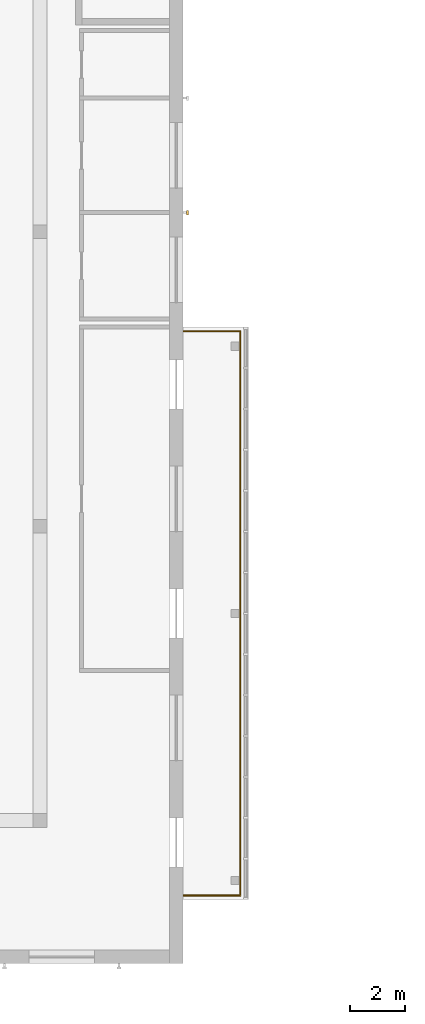
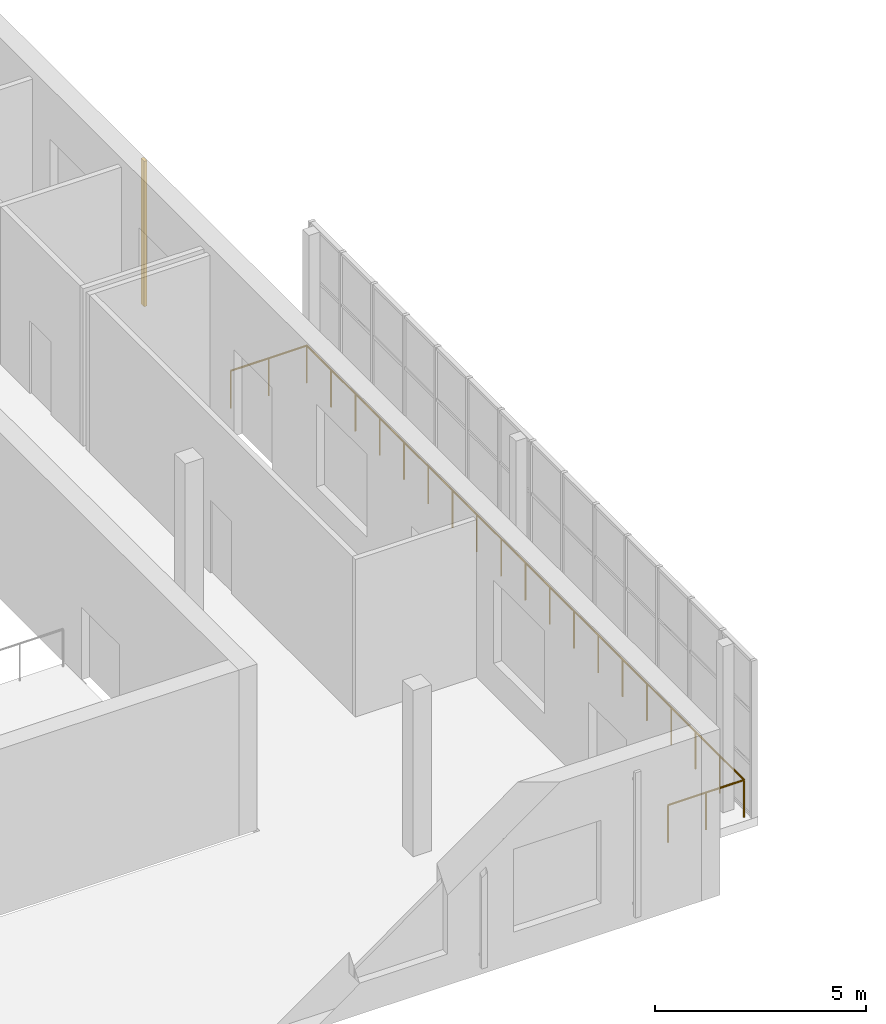
# One storey, part 108 of 127: 1 railing, 1 shading device.
"""IFC4 building model written with IfcOpenShell, lengths in metres."""

from ifc_helpers import new_model, si_unit, direction, frame, origin, origin_2d, place, context, subcontext, project, spatial, rectangle, circle, extrude, material, type_object, element, save


model = new_model("IFC4")

# Units and contexts
model_context = context("Model", 3, precision=1e-05, world=origin(), true_north=direction((0.0, 1.0)))
body_context = subcontext(model_context, "Body", "Model", "MODEL_VIEW")
ifc_project = project(units=[si_unit("LENGTHUNIT", "METRE"), si_unit("AREAUNIT", "SQUARE_METRE"), si_unit("VOLUMEUNIT", "CUBIC_METRE"), si_unit("PLANEANGLEUNIT", "RADIAN"), si_unit("MASSUNIT", "GRAM", prefix="KILO")], contexts=[model_context])

# Site, building, storey
site_placement = place(None, origin())
site = spatial("IfcSite", under=ifc_project, at=site_placement, CompositionType="ELEMENT")
building_placement = place(site_placement, origin())
building = spatial("IfcBuilding", under=site, at=building_placement, Name="Ljudholm Concert House", CompositionType="ELEMENT")
storey_placement = place(building_placement, frame((0.0, 0.0, 5.39990234375)))
storey = spatial("IfcBuildingStorey", under=building, at=storey_placement, Name="L01", CompositionType="ELEMENT", Elevation=5.39990234375)

# Shading device
ifc_material_1 = material(Name="Aluminium extrusion with timber-grain PVDF finish", Category="aluminium")
shading_device_type = type_object("IfcShadingDeviceType", Name="FACADE FIN 80x160", PredefinedType="SHUTTER", material=ifc_material_1)
shading_device_placement = place(storey_placement, frame((46.409912109375, 31.300048828125, 0.30029296875), z_axis=(0.0, 0.0, 1.0), x_axis=(1.0, 0.0, 0.0)))
element("IfcShadingDevice", 1, at=shading_device_placement, inside=storey, type_object=shading_device_type, Name="Facade fin", PredefinedType="SHUTTER", context=body_context, shape_type="SweptSolid", body=[
    extrude(rectangle(XDim=0.080078125, YDim=0.159912109375, at=origin_2d()), origin(), (0.0, 0.0, 1.0), 4.199951171875),
])

# Railing
ifc_material_2 = material(Name="Steel ASTM A36", Category="steel")
railing_type = type_object("IfcRailingType", Name="GUARD 1100 EXTERNAL", PredefinedType="GUARDRAIL", material=ifc_material_2)
railing_placement = place(storey_placement, frame((46.27001953125, 6.25, 0.0)))
element("IfcRailing", 2, at=railing_placement, inside=storey, type_object=railing_type, Name="Loggia guard", PredefinedType="GUARDRAIL", context=body_context, shape_type="SweptSolid", body=[
    extrude(circle(Radius=0.02490234375, at=origin_2d()), frame((0.0, 0.0, 1.0751953125), z_axis=(1.0, 0.0, 0.0), x_axis=(0.0, 1.0, 0.0)), (0.0, 0.0, 1.0), 2.080078125),
    extrude(circle(Radius=0.02490234375, at=origin_2d()), frame((2.080078125, 0.0, 1.0751953125), z_axis=(0.0, 1.0, 0.0), x_axis=(-1.0, 0.0, 0.0)), (0.0, 0.0, 1.0), 20.699951171875),
    extrude(circle(Radius=0.02490234375, at=origin_2d()), frame((2.080078125, 20.699951171875, 1.0751953125), z_axis=(-1.0, 0.0, 0.0), x_axis=(0.0, -1.0, 0.0)), (0.0, 0.0, 1.0), 2.080078125),
    extrude(circle(Radius=0.02099609375, at=origin_2d()), origin(), (0.0, 0.0, 1.0), 1.050048828125),
    extrude(circle(Radius=0.02099609375, at=origin_2d()), frame((1.0400390625, 0.0, 0.0)), (0.0, 0.0, 1.0), 1.050048828125),
    extrude(circle(Radius=0.02099609375, at=origin_2d()), frame((2.080078125, 0.0, 0.0)), (0.0, 0.0, 1.0), 1.050048828125),
    extrude(circle(Radius=0.02099609375, at=origin_2d()), frame((2.080078125, 1.14990234375, 0.0)), (0.0, 0.0, 1.0), 1.050048828125),
    extrude(circle(Radius=0.02099609375, at=origin_2d()), frame((2.080078125, 2.300048828125, 0.0)), (0.0, 0.0, 1.0), 1.050048828125),
    extrude(circle(Radius=0.02099609375, at=origin_2d()), frame((2.080078125, 3.449951171875, 0.0)), (0.0, 0.0, 1.0), 1.050048828125),
    extrude(circle(Radius=0.02099609375, at=origin_2d()), frame((2.080078125, 4.60009765625, 0.0)), (0.0, 0.0, 1.0), 1.050048828125),
    extrude(circle(Radius=0.02099609375, at=origin_2d()), frame((2.080078125, 5.75, 0.0)), (0.0, 0.0, 1.0), 1.050048828125),
    extrude(circle(Radius=0.02099609375, at=origin_2d()), frame((2.080078125, 6.89990234375, 0.0)), (0.0, 0.0, 1.0), 1.050048828125),
    extrude(circle(Radius=0.02099609375, at=origin_2d()), frame((2.080078125, 8.050048828125, 0.0)), (0.0, 0.0, 1.0), 1.050048828125),
    extrude(circle(Radius=0.02099609375, at=origin_2d()), frame((2.080078125, 9.199951171875, 0.0)), (0.0, 0.0, 1.0), 1.050048828125),
    extrude(circle(Radius=0.02099609375, at=origin_2d()), frame((2.080078125, 10.35009765625, 0.0)), (0.0, 0.0, 1.0), 1.050048828125),
    extrude(circle(Radius=0.02099609375, at=origin_2d()), frame((2.080078125, 11.5, 0.0)), (0.0, 0.0, 1.0), 1.050048828125),
    extrude(circle(Radius=0.02099609375, at=origin_2d()), frame((2.080078125, 12.64990234375, 0.0)), (0.0, 0.0, 1.0), 1.050048828125),
    extrude(circle(Radius=0.02099609375, at=origin_2d()), frame((2.080078125, 13.800048828125, 0.0)), (0.0, 0.0, 1.0), 1.050048828125),
    extrude(circle(Radius=0.02099609375, at=origin_2d()), frame((2.080078125, 14.949951171875, 0.0)), (0.0, 0.0, 1.0), 1.050048828125),
    extrude(circle(Radius=0.02099609375, at=origin_2d()), frame((2.080078125, 16.099853515625, 0.0)), (0.0, 0.0, 1.0), 1.050048828125),
    extrude(circle(Radius=0.02099609375, at=origin_2d()), frame((2.080078125, 17.25, 0.0)), (0.0, 0.0, 1.0), 1.050048828125),
    extrude(circle(Radius=0.02099609375, at=origin_2d()), frame((2.080078125, 18.39990234375, 0.0)), (0.0, 0.0, 1.0), 1.050048828125),
    extrude(circle(Radius=0.02099609375, at=origin_2d()), frame((2.080078125, 19.550048828125, 0.0)), (0.0, 0.0, 1.0), 1.050048828125),
    extrude(circle(Radius=0.02099609375, at=origin_2d()), frame((2.080078125, 20.699951171875, 0.0)), (0.0, 0.0, 1.0), 1.050048828125),
    extrude(circle(Radius=0.02099609375, at=origin_2d()), frame((1.0400390625, 20.699951171875, 0.0)), (0.0, 0.0, 1.0), 1.050048828125),
    extrude(circle(Radius=0.02099609375, at=origin_2d()), frame((0.0, 20.699951171875, 0.0)), (0.0, 0.0, 1.0), 1.050048828125),
])

save(model, "model.ifc")
